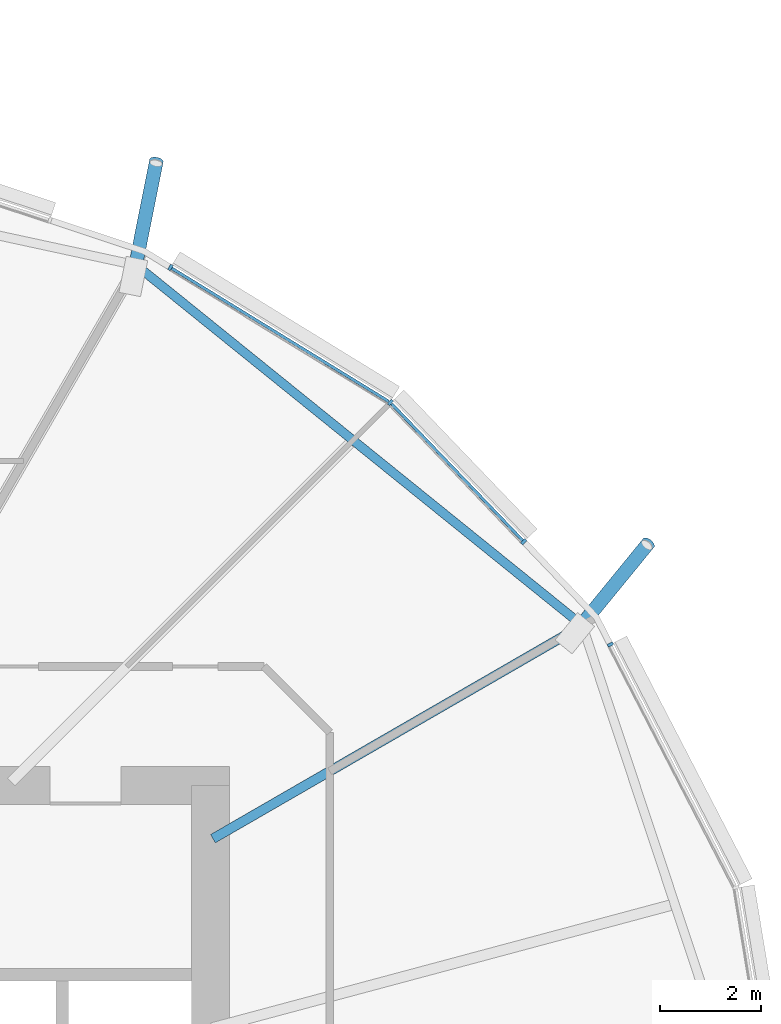
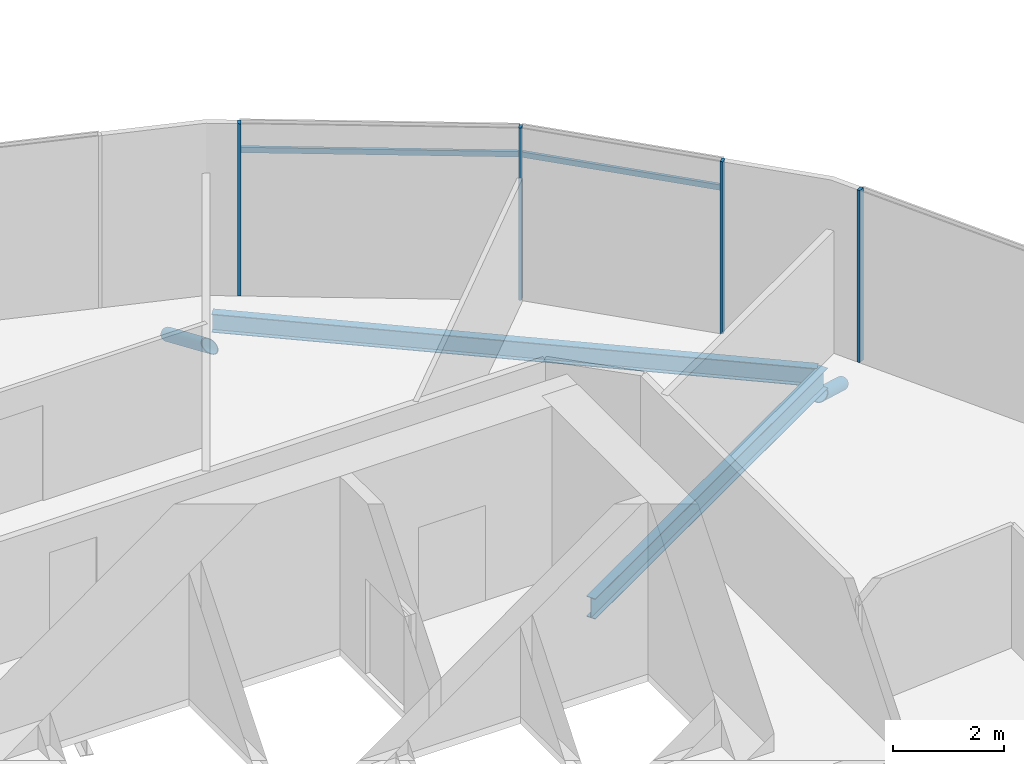
# One storey, part 11 of 38: 8 members, 2 beams, 1 element without a shape of its own.
"""IFC4 building model written with IfcOpenShell, lengths in metres."""

from ifc_helpers import new_model, si_unit, direction, frame, origin, origin_2d, place, context, subcontext, project, spatial, rectangle, hollow_circle, i_section, extrude, clip, halfspace, material, material_profile, profile_set, type_object, element, aggregate, save


model = new_model("IFC4")

# Units and contexts
model_context = context("Model", 3, precision=1e-05, world=origin(), true_north=direction((0.0, 1.0)))
body_context = subcontext(model_context, "Body", "Model", "MODEL_VIEW")
ifc_project = project(units=[si_unit("LENGTHUNIT", "METRE"), si_unit("AREAUNIT", "SQUARE_METRE"), si_unit("VOLUMEUNIT", "CUBIC_METRE"), si_unit("PLANEANGLEUNIT", "RADIAN"), si_unit("MASSUNIT", "GRAM", prefix="KILO")], contexts=[model_context])

# Site, building, storey
site_placement = place(None, origin())
site = spatial("IfcSite", under=ifc_project, at=site_placement, CompositionType="ELEMENT")
building_placement = place(site_placement, origin())
building = spatial("IfcBuilding", under=site, at=building_placement, Name="Rimbun Link Towers", CompositionType="ELEMENT")
storey_placement = place(building_placement, frame((0.0, 0.0, 108.199951171875)))
storey = spatial("IfcBuildingStorey", under=building, at=storey_placement, Name="L26", CompositionType="ELEMENT", Elevation=108.199951171875)

# Curtain wall, members
ifc_material_1 = material(Name="Aluminium 6063-T6 and low-iron glass", Category="aluminium")
curtain_wall_type = type_object("IfcCurtainWallType", Name="CW1-Z2 unitised vision wall (zone 2)", PredefinedType="NOTDEFINED", material=ifc_material_1)
curtain_wall_placement = place(storey_placement, origin())
curtain_wall = element("IfcCurtainWall", 1, at=curtain_wall_placement, inside=storey, type_object=curtain_wall_type, Name="CW1 L26 T1", PredefinedType="NOTDEFINED")
ifc_material_2 = material(Name="Aluminium 6063-T6", Category="aluminium")
ifc_material_profile_1 = material_profile(ifc_material_2, rectangle(XDim=0.1201171875, YDim=0.06005859375, at=origin_2d()), Name="MULLION 60X120")
ifc_profile_set_1 = profile_set([ifc_material_profile_1], Name="Aluminium 6063-T6")
member_type_1 = type_object("IfcMemberType", Name="CW1 mullion 60X120", PredefinedType="MULLION", material=ifc_profile_set_1)
member_1_placement = place(storey_placement, frame((-11.869873046875, 10.782470703125, 0.0), z_axis=(0.0, 0.0, 1.0), x_axis=(0.888149178193, 0.459555260307, 0.0)))
member_1 = element("IfcMember", 2, at=member_1_placement, type_object=member_type_1, Name="CW1 mullion", PredefinedType="MULLION", context=body_context, shape_type="SweptSolid", body=[
    extrude(rectangle(XDim=0.1201171875, YDim=0.06005859375, at=origin_2d()), origin(), (0.0, 0.0, 1.0), 3.800048828125),
])
member_2_placement = place(storey_placement, frame((-16.205810546875, 15.55322265625, 0.0), z_axis=(0.0, 0.0, 1.0), x_axis=(0.627670379428, 0.77847921924, 0.0)))
member_2 = element("IfcMember", 3, at=member_2_placement, type_object=member_type_1, Name="CW1 mullion", PredefinedType="MULLION", context=body_context, shape_type="SweptSolid", body=[
    extrude(rectangle(XDim=0.1201171875, YDim=0.06005859375, at=origin_2d()), origin(), (0.0, 0.0, 1.0), 3.800048828125),
])
member_3_placement = place(storey_placement, frame((-13.57421875, 12.809326171875, 0.0), z_axis=(0.0, 0.0, 1.0), x_axis=(0.721844661886, 0.692055116379, 0.0)))
member_3 = element("IfcMember", 4, at=member_3_placement, type_object=member_type_1, Name="CW1 mullion", PredefinedType="MULLION", context=body_context, shape_type="SweptSolid", body=[
    extrude(rectangle(XDim=0.1201171875, YDim=0.06005859375, at=origin_2d()), origin(), (0.0, 0.0, 1.0), 3.800048828125),
])
member_4_placement = place(storey_placement, frame((-20.539306640625, 18.214599609375, 0.0), z_axis=(0.0, 0.0, 1.0), x_axis=(0.523241267863, 0.852184590101, 0.0)))
member_4 = element("IfcMember", 5, at=member_4_placement, type_object=member_type_1, Name="CW1 mullion", PredefinedType="MULLION", context=body_context, shape_type="SweptSolid", body=[
    extrude(rectangle(XDim=0.1201171875, YDim=0.06005859375, at=origin_2d()), origin(), (0.0, 0.0, 1.0), 3.800048828125),
])
ifc_material_3 = material(Name="Aluminium 6063-T6", Category="aluminium")
ifc_material_profile_2 = material_profile(ifc_material_3, rectangle(XDim=0.06005859375, YDim=0.1201171875, at=origin_2d()), Name="TRANSOM 60X120")
ifc_profile_set_2 = profile_set([ifc_material_profile_2], Name="Aluminium 6063-T6")
member_type_2 = type_object("IfcMemberType", Name="CW1 transom 60X120", PredefinedType="USERDEFINED", material=ifc_profile_set_2)
member_5_placement = place(storey_placement, frame((-16.1806640625, 15.525146484375, 3.199951171875), z_axis=(0.692043091562, -0.721856190263, 0.0), x_axis=(0.721856190263, 0.692043091562, 0.0)))
member_5 = element("IfcMember", 6, at=member_5_placement, type_object=member_type_2, Name="CW1 transom", ObjectType="TRANSOM", PredefinedType="USERDEFINED", context=body_context, shape_type="SweptSolid", body=[
    extrude(rectangle(XDim=0.06005859375, YDim=0.1201171875, at=origin_2d()), origin(), (0.0, 0.0, 1.0), 3.734130859375),
])
member_6_placement = place(storey_placement, frame((-20.514892578125, 18.197265625, 3.199951171875), z_axis=(0.852202434202, -0.523212204693, 0.0), x_axis=(0.523212204693, 0.852202434202, 0.0)))
member_6 = element("IfcMember", 7, at=member_6_placement, type_object=member_type_2, Name="CW1 transom", ObjectType="TRANSOM", PredefinedType="USERDEFINED", context=body_context, shape_type="SweptSolid", body=[
    extrude(rectangle(XDim=0.06005859375, YDim=0.1201171875, at=origin_2d()), origin(), (0.0, 0.0, 1.0), 5.01806640625),
])
aggregate(curtain_wall, [member_1, member_2, member_3, member_4, member_5, member_6])

# Members
ifc_material_4 = material(Name="Steel S355J2H", Category="steel")
ifc_material_profile_3 = material_profile(ifc_material_4, hollow_circle(Radius=0.136474609375, WallThickness=0.012451171875, at=origin_2d()), Name="CHS 273x12.5")
ifc_profile_set_3 = profile_set([ifc_material_profile_3], Name="Steel S355J2H")
member_type_3 = type_object("IfcMemberType", Name="Floor edge link CHS 273x12.5", PredefinedType="BRACE", material=ifc_profile_set_3)
member_7_placement = place(storey_placement, frame((-12.465087890625, 11.13427734375, -0.730712890625), z_axis=(0.546127519896, 0.667653726873, -0.505947856014), x_axis=(-0.774033783252, 0.633144298233, 0.0)))
element("IfcMember", 8, at=member_7_placement, inside=storey, type_object=member_type_3, Name="Floor edge link T1 L26 02", PredefinedType="BRACE", context=body_context, shape_type="Clipping", body=[
    clip(extrude(hollow_circle(Radius=0.136474609375, WallThickness=0.012451171875, at=origin_2d()), frame((0.0, 0.0, -0.4853515625)), (0.0, 0.0, 1.0), 2.958251953125), halfspace(frame((0.0, 0.0, -0.22802734375), z_axis=(0.0, 0.862564065444, -0.505947856014)), False)),
])
member_8_placement = place(storey_placement, frame((-21.234619140625, 18.213134765625, -0.881591796875), z_axis=(0.171173339348, 0.858754437776, -0.482949793972), x_axis=(-0.980707310336, 0.195481895462, 0.0)))
element("IfcMember", 9, at=member_8_placement, inside=storey, type_object=member_type_3, Name="Floor edge link T1 L26 04", PredefinedType="BRACE", context=body_context, shape_type="Clipping", body=[
    clip(extrude(hollow_circle(Radius=0.136474609375, WallThickness=0.012451171875, at=origin_2d()), frame((0.0, 0.0, -0.515625)), (0.0, 0.0, 1.0), 2.967529296875), halfspace(frame((0.0, 0.0, -0.242431640625), z_axis=(0.0, 0.875648043738, -0.482949793972)), False)),
])

# Beams
ifc_material_5 = material(Name="Steel S355J2", Category="steel")
ifc_material_profile_4 = material_profile(ifc_material_5, i_section(OverallWidth=0.177978515625, OverallDepth=0.406494140625, WebThickness=0.0078125, FlangeThickness=0.0126953125, at=origin_2d()), Name="UB 406x178x60")
ifc_profile_set_4 = profile_set([ifc_material_profile_4], Name="Steel S355J2")
beam_type_1 = type_object("IfcBeamType", Name="UB 406x178x60", PredefinedType="BEAM", material=ifc_profile_set_4)
beam_1_placement = place(storey_placement, frame((-12.501708984375, 11.2236328125, -0.363037109375), z_axis=(-0.777963970016, 0.628308890083, 0.0), x_axis=(-0.628308890083, -0.777963970016, 0.0)))
element("IfcBeam", 10, at=beam_1_placement, inside=storey, type_object=beam_type_1, Name="Edge beam T1 L26 02-04", PredefinedType="BEAM", context=body_context, shape_type="SweptSolid", body=[
    extrude(i_section(OverallWidth=0.177978515625, OverallDepth=0.406494140625, WebThickness=0.0078125, FlangeThickness=0.0126953125, at=origin_2d()), origin(), (0.0, 0.0, 1.0), 11.076904296875),
])
ifc_material_6 = material(Name="Steel S355J2", Category="steel")
ifc_material_profile_5 = material_profile(ifc_material_6, i_section(OverallWidth=0.18994140625, OverallDepth=0.453369140625, WebThickness=0.008544921875, FlangeThickness=0.0126953125, at=origin_2d()), Name="UB 457x191x67")
ifc_profile_set_5 = profile_set([ifc_material_profile_5], Name="Steel S355J2")
beam_type_2 = type_object("IfcBeamType", Name="UB 457x191x67", PredefinedType="BEAM", material=ifc_profile_set_5)
beam_2_placement = place(storey_placement, frame((-19.70166015625, 6.9560546875, -0.38671875), z_axis=(0.866025500329, 0.49999983278, 0.0), x_axis=(-0.49999983278, 0.866025500329, 0.0)))
element("IfcBeam", 11, at=beam_2_placement, inside=storey, type_object=beam_type_2, Name="Radial beam T1 L26 02", PredefinedType="BEAM", context=body_context, shape_type="SweptSolid", body=[
    extrude(i_section(OverallWidth=0.18994140625, OverallDepth=0.453369140625, WebThickness=0.008544921875, FlangeThickness=0.0126953125, at=origin_2d()), origin(), (0.0, 0.0, 1.0), 8.40625),
])

save(model, "model.ifc")
